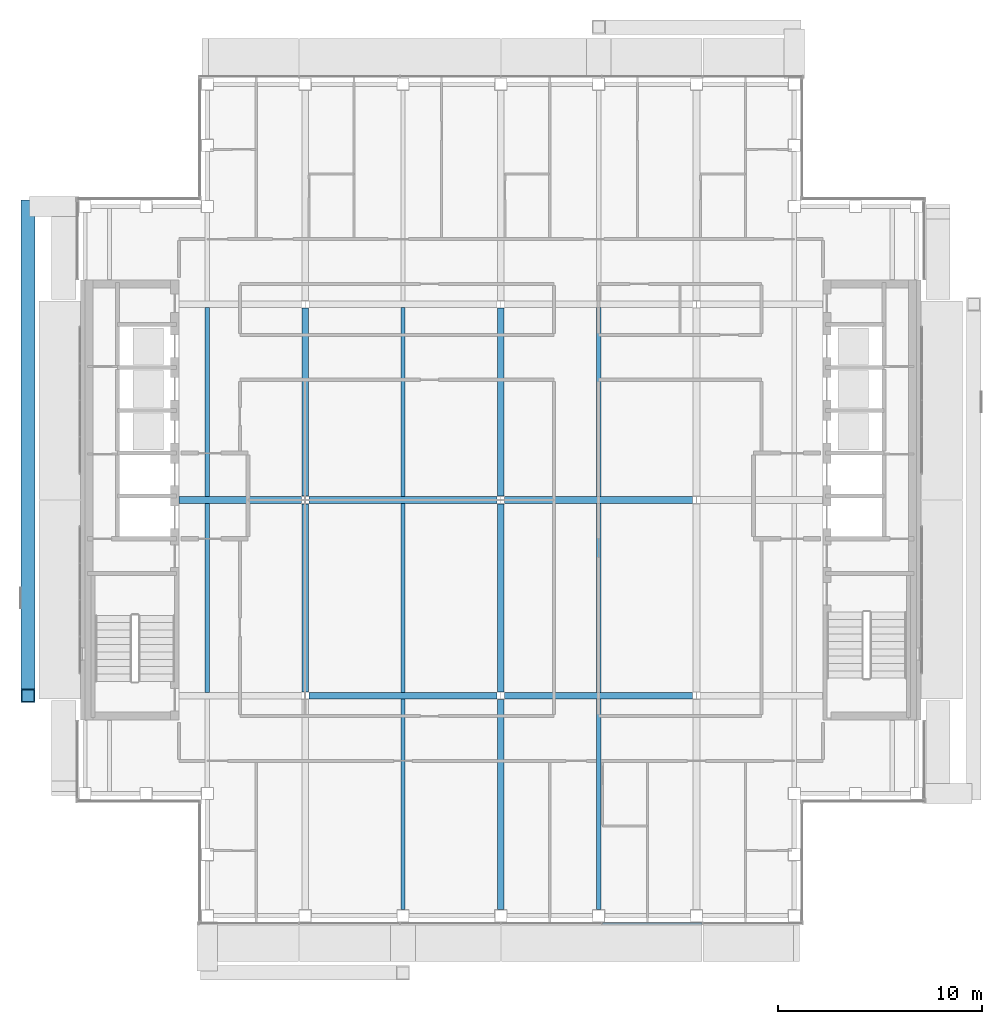
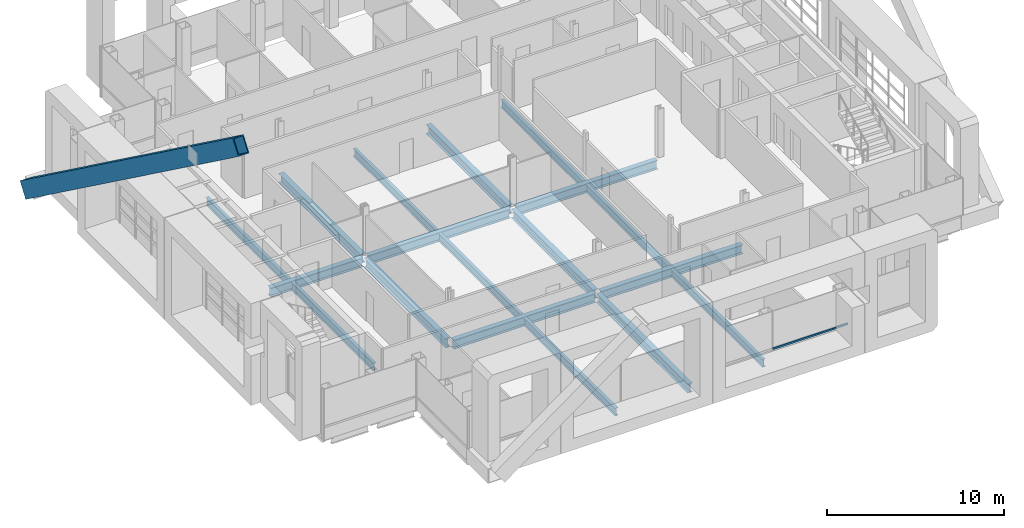
# One storey, part 5 of 23: 18 beams, 2 members, 1 element without a shape of its own.
"""IFC4 building model written with IfcOpenShell, lengths in metres."""

from ifc_helpers import new_model, si_unit, direction, frame, origin, origin_2d, place, context, subcontext, project, spatial, rectangle, hollow_rectangle, i_section, extrude, material, material_profile, profile_set, type_object, element, aggregate, save


model = new_model("IFC4")

# Units and contexts
model_context = context("Model", 3, precision=1e-05, world=origin(), true_north=direction((0.0, 1.0)))
body_context = subcontext(model_context, "Body", "Model", "MODEL_VIEW")
ifc_project = project(units=[si_unit("LENGTHUNIT", "METRE"), si_unit("AREAUNIT", "SQUARE_METRE"), si_unit("VOLUMEUNIT", "CUBIC_METRE"), si_unit("PLANEANGLEUNIT", "RADIAN"), si_unit("MASSUNIT", "GRAM", prefix="KILO")], contexts=[model_context])

# Site, building, storey
site_placement = place(None, origin())
site = spatial("IfcSite", under=ifc_project, at=site_placement, CompositionType="ELEMENT")
building_placement = place(site_placement, origin())
building = spatial("IfcBuilding", under=site, at=building_placement, Name="Cobrizo Arcos Hotel Tower", CompositionType="ELEMENT")
storey_placement = place(building_placement, frame((0.0, 0.0, 255.0)))
storey = spatial("IfcBuildingStorey", under=building, at=storey_placement, Name="L67", CompositionType="ELEMENT", Elevation=255.0)

# Member
ifc_material_1 = material(Name="Steel ASTM A572 Grade 50", Category="steel")
ifc_material_profile_1 = material_profile(ifc_material_1, hollow_rectangle(XDim=0.699951171875, YDim=1.10009765625, WallThickness=0.06005859375, at=origin_2d()), Name="BOX 700X1100X60")
ifc_profile_set_1 = profile_set([ifc_material_profile_1], Name="Steel ASTM A572 Grade 50")
member_type_1 = type_object("IfcMemberType", Name="BOX 700X1100X60 perimeter brace", PredefinedType="BRACE", material=ifc_profile_set_1)
member_1_placement = place(storey_placement, frame((-23.199951171875, 14.39990234375, 0.5), z_axis=(0.0, -0.808007530216, 0.589172157449), x_axis=(1.0, 0.0, 0.0)))
element("IfcMember", 1, at=member_1_placement, inside=storey, type_object=member_type_1, Name="Perimeter brace PBR5, zone Z5, west face, no. 02", PredefinedType="BRACE", context=body_context, shape_type="SweptSolid", body=[
    extrude(hollow_rectangle(XDim=0.699951171875, YDim=1.10009765625, WallThickness=0.06005859375, at=origin_2d()), origin(), (0.0, 0.0, 1.0), 29.70263671875),
])

# Curtain wall, member
ifc_material_2 = material(Name="Aluminium 6063-T6 anodised bronze", Category="aluminium")
curtain_wall_type = type_object("IfcCurtainWallType", Name="CW-A guest facade", PredefinedType="NOTDEFINED", material=ifc_material_2)
curtain_wall_placement = place(storey_placement, origin())
curtain_wall = element("IfcCurtainWall", 2, at=curtain_wall_placement, inside=storey, type_object=curtain_wall_type, Name="CW-A L67 S face", PredefinedType="NOTDEFINED")
ifc_material_profile_2 = material_profile(ifc_material_2, rectangle(XDim=0.10009765625, YDim=0.1201171875, at=origin_2d()), Name="CW-A transom 120x100")
ifc_profile_set_2 = profile_set([ifc_material_profile_2], Name="Aluminium 6063-T6 anodised bronze")
member_type_2 = type_object("IfcMemberType", Name="CW-A transom 120x100", PredefinedType="USERDEFINED", material=ifc_profile_set_2)
member_2_placement = place(storey_placement, frame((4.97998046875, -20.77490234375, 0.929931640625), z_axis=(1.0, 0.0, 0.0), x_axis=(0.0, 1.0, 0.0)))
member_2 = element("IfcMember", 3, at=member_2_placement, type_object=member_type_2, Name="CW-A transom 2112", ObjectType="TRANSOM", PredefinedType="USERDEFINED", context=body_context, shape_type="SweptSolid", body=[
    extrude(rectangle(XDim=0.10009765625, YDim=0.1201171875, at=origin_2d()), origin(), (0.0, 0.0, 1.0), 4.89013671875),
])
aggregate(curtain_wall, [member_2])

# Beams
ifc_material_3 = material(Name="Steel ASTM A992 Grade 50", Category="steel")
ifc_material_profile_3 = material_profile(ifc_material_3, i_section(OverallWidth=0.209228515625, OverallDepth=0.533447265625, WebThickness=0.01025390625, FlangeThickness=0.015625, at=origin_2d()), Name="W21X62")
ifc_profile_set_3 = profile_set([ifc_material_profile_3], Name="Steel ASTM A992 Grade 50")
beam_type_1 = type_object("IfcBeamType", Name="W21X62 joist", PredefinedType="JOIST", material=ifc_profile_set_3)
for number, where, z_axis, x_axis, name in (
    (4, (-14.39990234375, -9.43603515625, -0.416748046875), (0.0, 1.0, 0.0), (-1.0, 0.0, 0.0), "Floor joist J1, L67, no. 004"),
    (5, (-14.39990234375, 0.163818359375, -0.416748046875), (0.0, 1.0, 0.0), (-1.0, 0.0, 0.0), "Floor joist J1, L67, no. 005"),
):
    element("IfcBeam", number, at=place(storey_placement, frame(where, z_axis=z_axis, x_axis=x_axis)), inside=storey, type_object=beam_type_1, Name=name, PredefinedType="JOIST", context=body_context, shape_type="SweptSolid", body=[
        extrude(i_section(OverallWidth=0.209228515625, OverallDepth=0.533447265625, WebThickness=0.01025390625, FlangeThickness=0.015625, at=origin_2d()), origin(), (0.0, 0.0, 1.0), 9.272216796875),
    ])
beam_1_placement = place(storey_placement, frame((-4.800048828125, -20.10009765625, -0.416748046875), z_axis=(0.0, 1.0, 0.0), x_axis=(-1.0, 0.0, 0.0)))
element("IfcBeam", 6, at=beam_1_placement, inside=storey, type_object=beam_type_1, Name="Floor joist J1, L67, no. 007", PredefinedType="JOIST", context=body_context, shape_type="SweptSolid", body=[
    extrude(i_section(OverallWidth=0.209228515625, OverallDepth=0.533447265625, WebThickness=0.01025390625, FlangeThickness=0.015625, at=origin_2d()), origin(), (0.0, 0.0, 1.0), 10.336181640625),
])
for number, where, z_axis, x_axis, name in (
    (7, (-4.800048828125, -9.43603515625, -0.416748046875), (0.0, 1.0, 0.0), (-1.0, 0.0, 0.0), "Floor joist J1, L67, no. 008"),
    (8, (-4.800048828125, 0.163818359375, -0.416748046875), (0.0, 1.0, 0.0), (-1.0, 0.0, 0.0), "Floor joist J1, L67, no. 009"),
):
    element("IfcBeam", number, at=place(storey_placement, frame(where, z_axis=z_axis, x_axis=x_axis)), inside=storey, type_object=beam_type_1, Name=name, PredefinedType="JOIST", context=body_context, shape_type="SweptSolid", body=[
        extrude(i_section(OverallWidth=0.209228515625, OverallDepth=0.533447265625, WebThickness=0.01025390625, FlangeThickness=0.015625, at=origin_2d()), origin(), (0.0, 0.0, 1.0), 9.272216796875),
    ])
beam_2_placement = place(storey_placement, frame((4.800048828125, -20.10009765625, -0.416748046875), z_axis=(0.0, 1.0, 0.0), x_axis=(-1.0, 0.0, 0.0)))
element("IfcBeam", 9, at=beam_2_placement, inside=storey, type_object=beam_type_1, Name="Floor joist J1, L67, no. 011", PredefinedType="JOIST", context=body_context, shape_type="SweptSolid", body=[
    extrude(i_section(OverallWidth=0.209228515625, OverallDepth=0.533447265625, WebThickness=0.01025390625, FlangeThickness=0.015625, at=origin_2d()), origin(), (0.0, 0.0, 1.0), 10.336181640625),
])
for number, where, z_axis, x_axis, name in (
    (10, (4.800048828125, -9.43603515625, -0.416748046875), (0.0, 1.0, 0.0), (-1.0, 0.0, 0.0), "Floor joist J1, L67, no. 012"),
    (11, (4.800048828125, 0.163818359375, -0.416748046875), (0.0, 1.0, 0.0), (-1.0, 0.0, 0.0), "Floor joist J1, L67, no. 013"),
):
    element("IfcBeam", number, at=place(storey_placement, frame(where, z_axis=z_axis, x_axis=x_axis)), inside=storey, type_object=beam_type_1, Name=name, PredefinedType="JOIST", context=body_context, shape_type="SweptSolid", body=[
        extrude(i_section(OverallWidth=0.209228515625, OverallDepth=0.533447265625, WebThickness=0.01025390625, FlangeThickness=0.015625, at=origin_2d()), origin(), (0.0, 0.0, 1.0), 9.272216796875),
    ])
ifc_material_profile_4 = material_profile(ifc_material_3, i_section(OverallWidth=0.32763671875, OverallDepth=0.622314453125, WebThickness=0.015380859375, FlangeThickness=0.0244140625, at=origin_2d()), Name="W24X131")
ifc_profile_set_4 = profile_set([ifc_material_profile_4], Name="Steel ASTM A992 Grade 50")
beam_type_2 = type_object("IfcBeamType", Name="W24X131 girder", PredefinedType="BEAM", material=ifc_profile_set_4)
for number, where, z_axis, x_axis, name in (
    (12, (-9.415771484375, -9.60009765625, -0.461181640625), (1.0, 0.0, 0.0), (0.0, 1.0, 0.0), "Floor girder G1, L67, no. 002"),
    (13, (0.18408203125, -9.60009765625, -0.461181640625), (1.0, 0.0, 0.0), (0.0, 1.0, 0.0), "Floor girder G1, L67, no. 003"),
):
    element("IfcBeam", number, at=place(storey_placement, frame(where, z_axis=z_axis, x_axis=x_axis)), inside=storey, type_object=beam_type_2, Name=name, PredefinedType="BEAM", context=body_context, shape_type="SweptSolid", body=[
        extrude(i_section(OverallWidth=0.32763671875, OverallDepth=0.622314453125, WebThickness=0.015380859375, FlangeThickness=0.0244140625, at=origin_2d()), origin(), (0.0, 0.0, 1.0), 9.231689453125),
    ])
beam_3_placement = place(storey_placement, frame((-15.7900390625, 0.0, -0.461181640625), z_axis=(1.0, 0.0, 0.0), x_axis=(0.0, 1.0, 0.0)))
element("IfcBeam", 14, at=beam_3_placement, inside=storey, type_object=beam_type_2, Name="Floor girder G1, L67, no. 005", PredefinedType="BEAM", context=body_context, shape_type="SweptSolid", body=[
    extrude(i_section(OverallWidth=0.32763671875, OverallDepth=0.622314453125, WebThickness=0.015380859375, FlangeThickness=0.0244140625, at=origin_2d()), origin(), (0.0, 0.0, 1.0), 6.005859375),
])
for number, where, z_axis, x_axis, name in (
    (15, (-9.415771484375, 0.0, -0.461181640625), (1.0, 0.0, 0.0), (0.0, 1.0, 0.0), "Floor girder G1, L67, no. 006"),
    (16, (0.18408203125, 0.0, -0.461181640625), (1.0, 0.0, 0.0), (0.0, 1.0, 0.0), "Floor girder G1, L67, no. 007"),
    (17, (-9.60009765625, -9.415771484375, -0.461181640625), (0.0, 1.0, 0.0), (-1.0, 0.0, 0.0), "Floor girder G1, L67, no. 014"),
    (18, (-9.60009765625, 0.18408203125, -0.461181640625), (0.0, 1.0, 0.0), (-1.0, 0.0, 0.0), "Floor girder G1, L67, no. 015"),
):
    element("IfcBeam", number, at=place(storey_placement, frame(where, z_axis=z_axis, x_axis=x_axis)), inside=storey, type_object=beam_type_2, Name=name, PredefinedType="BEAM", context=body_context, shape_type="SweptSolid", body=[
        extrude(i_section(OverallWidth=0.32763671875, OverallDepth=0.622314453125, WebThickness=0.015380859375, FlangeThickness=0.0244140625, at=origin_2d()), origin(), (0.0, 0.0, 1.0), 9.231689453125),
    ])
beam_4_placement = place(storey_placement, frame((0.0, -20.10009765625, -0.461181640625), z_axis=(0.0, 1.0, 0.0), x_axis=(-1.0, 0.0, 0.0)))
element("IfcBeam", 19, at=beam_4_placement, inside=storey, type_object=beam_type_2, Name="Floor girder G1, L67, no. 017", PredefinedType="BEAM", context=body_context, shape_type="SweptSolid", body=[
    extrude(i_section(OverallWidth=0.32763671875, OverallDepth=0.622314453125, WebThickness=0.015380859375, FlangeThickness=0.0244140625, at=origin_2d()), origin(), (0.0, 0.0, 1.0), 10.31591796875),
])
for number, where, z_axis, x_axis, name in (
    (20, (0.0, -9.415771484375, -0.461181640625), (0.0, 1.0, 0.0), (-1.0, 0.0, 0.0), "Floor girder G1, L67, no. 018"),
    (21, (0.0, 0.18408203125, -0.461181640625), (0.0, 1.0, 0.0), (-1.0, 0.0, 0.0), "Floor girder G1, L67, no. 019"),
):
    element("IfcBeam", number, at=place(storey_placement, frame(where, z_axis=z_axis, x_axis=x_axis)), inside=storey, type_object=beam_type_2, Name=name, PredefinedType="BEAM", context=body_context, shape_type="SweptSolid", body=[
        extrude(i_section(OverallWidth=0.32763671875, OverallDepth=0.622314453125, WebThickness=0.015380859375, FlangeThickness=0.0244140625, at=origin_2d()), origin(), (0.0, 0.0, 1.0), 9.231689453125),
    ])

save(model, "model.ifc")
